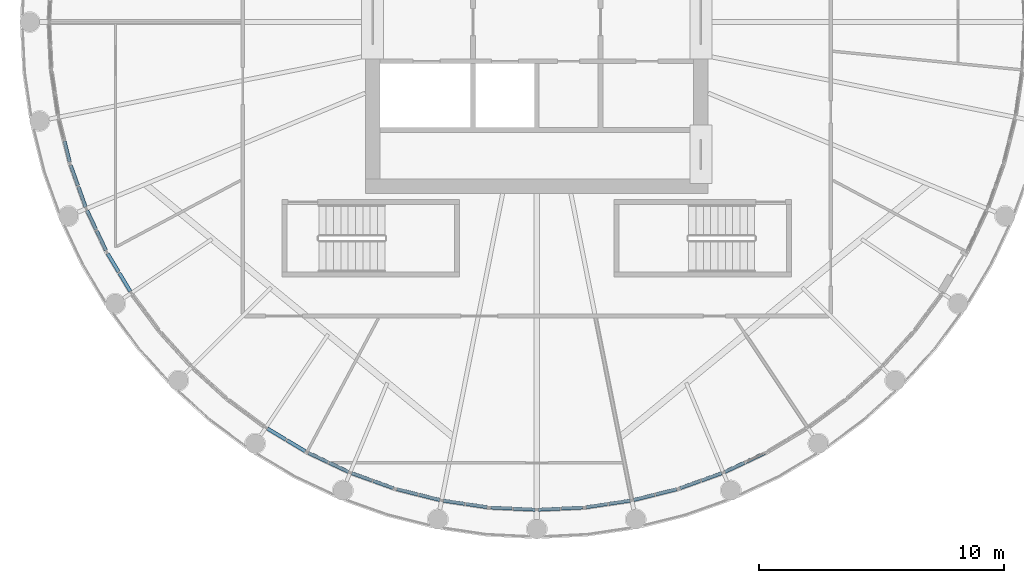
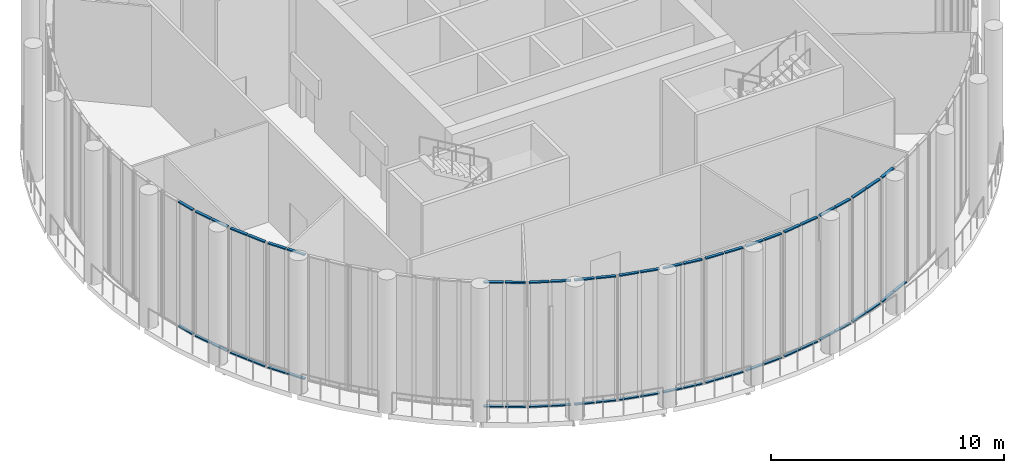
# One storey, part 9 of 21: 57 members, 15 elements without a shape of their own.
"""IFC4 building model written with IfcOpenShell, lengths in metres."""

from ifc_helpers import new_model, si_unit, direction, frame, origin, origin_2d, place, context, subcontext, project, spatial, rectangle, extrude, material, material_profile, profile_set, type_object, element, aggregate, save


model = new_model("IFC4")

# Units and contexts
model_context = context("Model", 3, precision=1e-05, world=origin(), true_north=direction((0.0, 1.0)))
body_context = subcontext(model_context, "Body", "Model", "MODEL_VIEW")
ifc_project = project(units=[si_unit("LENGTHUNIT", "METRE"), si_unit("AREAUNIT", "SQUARE_METRE"), si_unit("VOLUMEUNIT", "CUBIC_METRE"), si_unit("PLANEANGLEUNIT", "RADIAN"), si_unit("MASSUNIT", "GRAM", prefix="KILO")], contexts=[model_context])

# Site, building, storey
site_placement = place(None, origin())
site = spatial("IfcSite", under=ifc_project, at=site_placement, CompositionType="ELEMENT")
building_placement = place(site_placement, origin())
building = spatial("IfcBuilding", under=site, at=building_placement, Name="Corvane Civic Tower", CompositionType="ELEMENT")
storey_placement = place(building_placement, frame((0.0, 0.0, 380.5)))
storey = spatial("IfcBuildingStorey", under=building, at=storey_placement, Name="L91", CompositionType="ELEMENT", Elevation=380.5)

# Curtain wall, members
ifc_material_1 = material(Name="Aluminium and glass", Category="aluminium")
curtain_wall_type = type_object("IfcCurtainWallType", Name="CROWN-CW-O-RUN", PredefinedType="NOTDEFINED", material=ifc_material_1)
curtain_wall_1_placement = place(storey_placement, origin())
curtain_wall_1 = element("IfcCurtainWall", 1, at=curtain_wall_1_placement, inside=storey, type_object=curtain_wall_type, Name="CW-O run L91 19", PredefinedType="NOTDEFINED")
ifc_material_2 = material(Name="Anodised aluminium bronze", Category="aluminium")
ifc_material_profile = material_profile(ifc_material_2, rectangle(XDim=0.139892578125, YDim=0.06005859375, at=origin_2d()), Name="AL 140x60")
ifc_profile_set = profile_set([ifc_material_profile], Name="Anodised aluminium bronze")
member_type = type_object("IfcMemberType", Name="CROWN-CWO-TRANSOM-60x140", PredefinedType="USERDEFINED", material=ifc_profile_set)
member_1_placement = place(storey_placement, frame((-19.28271484375, -4.861083984375, 0.030029296875), z_axis=(0.242931177727, -0.970043526285, 0.0), x_axis=(0.970043526285, 0.242931177727, 0.0)))
member_1 = element("IfcMember", 2, at=member_1_placement, type_object=member_type, Name="CW-O transom 2.1", ObjectType="TRANSOM", PredefinedType="USERDEFINED", context=body_context, shape_type="SweptSolid", body=[
    extrude(rectangle(XDim=0.139892578125, YDim=0.06005859375, at=origin_2d()), origin(), (0.0, 0.0, 1.0), 0.871337890625),
])
member_2_placement = place(storey_placement, frame((-19.28271484375, -4.861083984375, 6.52001953125), z_axis=(0.242931177727, -0.970043526285, 0.0), x_axis=(0.970043526285, 0.242931177727, 0.0)))
member_2 = element("IfcMember", 3, at=member_2_placement, type_object=member_type, Name="CW-O transom 2.2", ObjectType="TRANSOM", PredefinedType="USERDEFINED", context=body_context, shape_type="SweptSolid", body=[
    extrude(rectangle(XDim=0.139892578125, YDim=0.06005859375, at=origin_2d()), origin(), (0.0, 0.0, 1.0), 0.871337890625),
])
aggregate(curtain_wall_1, [member_1, member_2])

curtain_wall_2_placement = place(storey_placement, origin())
curtain_wall_2 = element("IfcCurtainWall", 4, at=curtain_wall_2_placement, inside=storey, type_object=curtain_wall_type, Name="CW-O run L91 20", PredefinedType="NOTDEFINED")
member_3_placement = place(storey_placement, frame((-19.027099609375, -5.8505859375, 0.030029296875), z_axis=(0.336744552913, -0.94159604188, 0.0), x_axis=(0.94159604188, 0.336744552913, 0.0)))
member_3 = element("IfcMember", 5, at=member_3_placement, type_object=member_type, Name="CW-O transom 1.1", ObjectType="TRANSOM", PredefinedType="USERDEFINED", context=body_context, shape_type="SweptSolid", body=[
    extrude(rectangle(XDim=0.139892578125, YDim=0.06005859375, at=origin_2d()), origin(), (0.0, 0.0, 1.0), 0.871337890625),
])
member_4_placement = place(storey_placement, frame((-19.027099609375, -5.8505859375, 6.52001953125), z_axis=(0.336744552913, -0.94159604188, 0.0), x_axis=(0.94159604188, 0.336744552913, 0.0)))
member_4 = element("IfcMember", 6, at=member_4_placement, type_object=member_type, Name="CW-O transom 1.2", ObjectType="TRANSOM", PredefinedType="USERDEFINED", context=body_context, shape_type="SweptSolid", body=[
    extrude(rectangle(XDim=0.139892578125, YDim=0.06005859375, at=origin_2d()), origin(), (0.0, 0.0, 1.0), 0.871337890625),
])
member_5_placement = place(storey_placement, frame((-18.71337890625, -6.7275390625, 0.030029296875), z_axis=(0.337081803775, -0.941475362165, 0.0), x_axis=(0.941475362165, 0.337081803775, 0.0)))
member_5 = element("IfcMember", 7, at=member_5_placement, type_object=member_type, Name="CW-O transom 2.1", ObjectType="TRANSOM", PredefinedType="USERDEFINED", context=body_context, shape_type="SweptSolid", body=[
    extrude(rectangle(XDim=0.139892578125, YDim=0.06005859375, at=origin_2d()), origin(), (0.0, 0.0, 1.0), 0.871337890625),
])
member_6_placement = place(storey_placement, frame((-18.71337890625, -6.7275390625, 6.52001953125), z_axis=(0.337081803775, -0.941475362165, 0.0), x_axis=(0.941475362165, 0.337081803775, 0.0)))
member_6 = element("IfcMember", 8, at=member_6_placement, type_object=member_type, Name="CW-O transom 2.2", ObjectType="TRANSOM", PredefinedType="USERDEFINED", context=body_context, shape_type="SweptSolid", body=[
    extrude(rectangle(XDim=0.139892578125, YDim=0.06005859375, at=origin_2d()), origin(), (0.0, 0.0, 1.0), 0.871337890625),
])
aggregate(curtain_wall_2, [member_3, member_4, member_5, member_6])

curtain_wall_3_placement = place(storey_placement, origin())
curtain_wall_3 = element("IfcCurtainWall", 9, at=curtain_wall_3_placement, inside=storey, type_object=curtain_wall_type, Name="CW-O run L91 21", PredefinedType="NOTDEFINED")
member_7_placement = place(storey_placement, frame((-18.362060546875, -7.6875, 0.030029296875), z_axis=(0.427604470333, -0.903965937938, 0.0), x_axis=(0.903965937938, 0.427604470333, 0.0)))
member_7 = element("IfcMember", 10, at=member_7_placement, type_object=member_type, Name="CW-O transom 1.1", ObjectType="TRANSOM", PredefinedType="USERDEFINED", context=body_context, shape_type="SweptSolid", body=[
    extrude(rectangle(XDim=0.139892578125, YDim=0.06005859375, at=origin_2d()), origin(), (0.0, 0.0, 1.0), 0.871337890625),
])
member_8_placement = place(storey_placement, frame((-18.362060546875, -7.6875, 6.52001953125), z_axis=(0.427604470333, -0.903965937938, 0.0), x_axis=(0.903965937938, 0.427604470333, 0.0)))
member_8 = element("IfcMember", 11, at=member_8_placement, type_object=member_type, Name="CW-O transom 1.2", ObjectType="TRANSOM", PredefinedType="USERDEFINED", context=body_context, shape_type="SweptSolid", body=[
    extrude(rectangle(XDim=0.139892578125, YDim=0.06005859375, at=origin_2d()), origin(), (0.0, 0.0, 1.0), 0.871337890625),
])
member_9_placement = place(storey_placement, frame((-17.9638671875, -8.529541015625, 0.030029296875), z_axis=(0.427604470333, -0.903965937938, 0.0), x_axis=(0.903965937938, 0.427604470333, 0.0)))
member_9 = element("IfcMember", 12, at=member_9_placement, type_object=member_type, Name="CW-O transom 2.1", ObjectType="TRANSOM", PredefinedType="USERDEFINED", context=body_context, shape_type="SweptSolid", body=[
    extrude(rectangle(XDim=0.139892578125, YDim=0.06005859375, at=origin_2d()), origin(), (0.0, 0.0, 1.0), 0.871337890625),
])
member_10_placement = place(storey_placement, frame((-17.9638671875, -8.529541015625, 6.52001953125), z_axis=(0.427604470333, -0.903965937938, 0.0), x_axis=(0.903965937938, 0.427604470333, 0.0)))
member_10 = element("IfcMember", 13, at=member_10_placement, type_object=member_type, Name="CW-O transom 2.2", ObjectType="TRANSOM", PredefinedType="USERDEFINED", context=body_context, shape_type="SweptSolid", body=[
    extrude(rectangle(XDim=0.139892578125, YDim=0.06005859375, at=origin_2d()), origin(), (0.0, 0.0, 1.0), 0.871337890625),
])
aggregate(curtain_wall_3, [member_7, member_8, member_9, member_10])

curtain_wall_4_placement = place(storey_placement, origin())
curtain_wall_4 = element("IfcCurtainWall", 14, at=curtain_wall_4_placement, inside=storey, type_object=curtain_wall_type, Name="CW-O run L91 22", PredefinedType="NOTDEFINED")
member_11_placement = place(storey_placement, frame((-17.520263671875, -9.450439453125, 0.030029296875), z_axis=(0.514166070946, -0.857690650227, 0.0), x_axis=(0.857690650227, 0.514166070946, 0.0)))
member_11 = element("IfcMember", 15, at=member_11_placement, type_object=member_type, Name="CW-O transom 1.1", ObjectType="TRANSOM", PredefinedType="USERDEFINED", context=body_context, shape_type="SweptSolid", body=[
    extrude(rectangle(XDim=0.139892578125, YDim=0.06005859375, at=origin_2d()), origin(), (0.0, 0.0, 1.0), 0.871337890625),
])
member_12_placement = place(storey_placement, frame((-17.520263671875, -9.450439453125, 6.52001953125), z_axis=(0.514166070946, -0.857690650227, 0.0), x_axis=(0.857690650227, 0.514166070946, 0.0)))
member_12 = element("IfcMember", 16, at=member_12_placement, type_object=member_type, Name="CW-O transom 1.2", ObjectType="TRANSOM", PredefinedType="USERDEFINED", context=body_context, shape_type="SweptSolid", body=[
    extrude(rectangle(XDim=0.139892578125, YDim=0.06005859375, at=origin_2d()), origin(), (0.0, 0.0, 1.0), 0.871337890625),
])
member_13_placement = place(storey_placement, frame((-17.041259765625, -10.2490234375, 0.030029296875), z_axis=(0.514166070946, -0.857690650227, 0.0), x_axis=(0.857690650227, 0.514166070946, 0.0)))
member_13 = element("IfcMember", 17, at=member_13_placement, type_object=member_type, Name="CW-O transom 2.1", ObjectType="TRANSOM", PredefinedType="USERDEFINED", context=body_context, shape_type="SweptSolid", body=[
    extrude(rectangle(XDim=0.139892578125, YDim=0.06005859375, at=origin_2d()), origin(), (0.0, 0.0, 1.0), 0.871337890625),
])
member_14_placement = place(storey_placement, frame((-17.041259765625, -10.2490234375, 6.52001953125), z_axis=(0.514166070946, -0.857690650227, 0.0), x_axis=(0.857690650227, 0.514166070946, 0.0)))
member_14 = element("IfcMember", 18, at=member_14_placement, type_object=member_type, Name="CW-O transom 2.2", ObjectType="TRANSOM", PredefinedType="USERDEFINED", context=body_context, shape_type="SweptSolid", body=[
    extrude(rectangle(XDim=0.139892578125, YDim=0.06005859375, at=origin_2d()), origin(), (0.0, 0.0, 1.0), 0.871337890625),
])
aggregate(curtain_wall_4, [member_11, member_12, member_13, member_14])

curtain_wall_5_placement = place(storey_placement, origin())
curtain_wall_5 = element("IfcCurtainWall", 19, at=curtain_wall_5_placement, inside=storey, type_object=curtain_wall_type, Name="CW-O run L91 27", PredefinedType="NOTDEFINED")
member_15_placement = place(storey_placement, frame((-10.996337890625, -16.59326171875, 0.030029296875), z_axis=(0.857690650227, -0.514166070946, 0.0), x_axis=(0.514166070946, 0.857690650227, 0.0)))
member_15 = element("IfcMember", 20, at=member_15_placement, type_object=member_type, Name="CW-O transom 1.1", ObjectType="TRANSOM", PredefinedType="USERDEFINED", context=body_context, shape_type="SweptSolid", body=[
    extrude(rectangle(XDim=0.139892578125, YDim=0.06005859375, at=origin_2d()), origin(), (0.0, 0.0, 1.0), 0.871337890625),
])
member_16_placement = place(storey_placement, frame((-10.996337890625, -16.59326171875, 6.52001953125), z_axis=(0.857690650227, -0.514166070946, 0.0), x_axis=(0.514166070946, 0.857690650227, 0.0)))
member_16 = element("IfcMember", 21, at=member_16_placement, type_object=member_type, Name="CW-O transom 1.2", ObjectType="TRANSOM", PredefinedType="USERDEFINED", context=body_context, shape_type="SweptSolid", body=[
    extrude(rectangle(XDim=0.139892578125, YDim=0.06005859375, at=origin_2d()), origin(), (0.0, 0.0, 1.0), 0.871337890625),
])
member_17_placement = place(storey_placement, frame((-10.19775390625, -17.072265625, 0.030029296875), z_axis=(0.857690650227, -0.514166070946, 0.0), x_axis=(0.514166070946, 0.857690650227, 0.0)))
member_17 = element("IfcMember", 22, at=member_17_placement, type_object=member_type, Name="CW-O transom 2.1", ObjectType="TRANSOM", PredefinedType="USERDEFINED", context=body_context, shape_type="SweptSolid", body=[
    extrude(rectangle(XDim=0.139892578125, YDim=0.06005859375, at=origin_2d()), origin(), (0.0, 0.0, 1.0), 0.871337890625),
])
member_18_placement = place(storey_placement, frame((-10.19775390625, -17.072265625, 6.52001953125), z_axis=(0.857690650227, -0.514166070946, 0.0), x_axis=(0.514166070946, 0.857690650227, 0.0)))
member_18 = element("IfcMember", 23, at=member_18_placement, type_object=member_type, Name="CW-O transom 2.2", ObjectType="TRANSOM", PredefinedType="USERDEFINED", context=body_context, shape_type="SweptSolid", body=[
    extrude(rectangle(XDim=0.139892578125, YDim=0.06005859375, at=origin_2d()), origin(), (0.0, 0.0, 1.0), 0.871337890625),
])
aggregate(curtain_wall_5, [member_15, member_16, member_17, member_18])

curtain_wall_6_placement = place(storey_placement, origin())
curtain_wall_6 = element("IfcCurtainWall", 24, at=curtain_wall_6_placement, inside=storey, type_object=curtain_wall_type, Name="CW-O run L91 28", PredefinedType="NOTDEFINED")
member_19_placement = place(storey_placement, frame((-9.317138671875, -17.59130859375, 0.030029296875), z_axis=(0.903965937938, -0.427604470333, 0.0), x_axis=(0.427604470333, 0.903965937938, 0.0)))
member_19 = element("IfcMember", 25, at=member_19_placement, type_object=member_type, Name="CW-O transom 1.1", ObjectType="TRANSOM", PredefinedType="USERDEFINED", context=body_context, shape_type="SweptSolid", body=[
    extrude(rectangle(XDim=0.139892578125, YDim=0.06005859375, at=origin_2d()), origin(), (0.0, 0.0, 1.0), 0.871337890625),
])
member_20_placement = place(storey_placement, frame((-9.317138671875, -17.59130859375, 6.52001953125), z_axis=(0.903965937938, -0.427604470333, 0.0), x_axis=(0.427604470333, 0.903965937938, 0.0)))
member_20 = element("IfcMember", 26, at=member_20_placement, type_object=member_type, Name="CW-O transom 1.2", ObjectType="TRANSOM", PredefinedType="USERDEFINED", context=body_context, shape_type="SweptSolid", body=[
    extrude(rectangle(XDim=0.139892578125, YDim=0.06005859375, at=origin_2d()), origin(), (0.0, 0.0, 1.0), 0.871337890625),
])
member_21_placement = place(storey_placement, frame((-8.47509765625, -17.989501953125, 0.030029296875), z_axis=(0.903965937938, -0.427604470333, 0.0), x_axis=(0.427604470333, 0.903965937938, 0.0)))
member_21 = element("IfcMember", 27, at=member_21_placement, type_object=member_type, Name="CW-O transom 2.1", ObjectType="TRANSOM", PredefinedType="USERDEFINED", context=body_context, shape_type="SweptSolid", body=[
    extrude(rectangle(XDim=0.139892578125, YDim=0.06005859375, at=origin_2d()), origin(), (0.0, 0.0, 1.0), 0.871337890625),
])
member_22_placement = place(storey_placement, frame((-8.47509765625, -17.989501953125, 6.52001953125), z_axis=(0.903965937938, -0.427604470333, 0.0), x_axis=(0.427604470333, 0.903965937938, 0.0)))
member_22 = element("IfcMember", 28, at=member_22_placement, type_object=member_type, Name="CW-O transom 2.2", ObjectType="TRANSOM", PredefinedType="USERDEFINED", context=body_context, shape_type="SweptSolid", body=[
    extrude(rectangle(XDim=0.139892578125, YDim=0.06005859375, at=origin_2d()), origin(), (0.0, 0.0, 1.0), 0.871337890625),
])
aggregate(curtain_wall_6, [member_19, member_20, member_21, member_22])

curtain_wall_7_placement = place(storey_placement, origin())
curtain_wall_7 = element("IfcCurtainWall", 29, at=curtain_wall_7_placement, inside=storey, type_object=curtain_wall_type, Name="CW-O run L91 29", PredefinedType="NOTDEFINED")
member_23_placement = place(storey_placement, frame((-7.5478515625, -18.419677734375, 0.030029296875), z_axis=(0.941475362165, -0.337081803775, 0.0), x_axis=(0.337081803775, 0.941475362165, 0.0)))
member_23 = element("IfcMember", 30, at=member_23_placement, type_object=member_type, Name="CW-O transom 1.1", ObjectType="TRANSOM", PredefinedType="USERDEFINED", context=body_context, shape_type="SweptSolid", body=[
    extrude(rectangle(XDim=0.139892578125, YDim=0.06005859375, at=origin_2d()), origin(), (0.0, 0.0, 1.0), 0.871337890625),
])
member_24_placement = place(storey_placement, frame((-7.5478515625, -18.419677734375, 6.52001953125), z_axis=(0.941475362165, -0.337081803775, 0.0), x_axis=(0.337081803775, 0.941475362165, 0.0)))
member_24 = element("IfcMember", 31, at=member_24_placement, type_object=member_type, Name="CW-O transom 1.2", ObjectType="TRANSOM", PredefinedType="USERDEFINED", context=body_context, shape_type="SweptSolid", body=[
    extrude(rectangle(XDim=0.139892578125, YDim=0.06005859375, at=origin_2d()), origin(), (0.0, 0.0, 1.0), 0.871337890625),
])
member_25_placement = place(storey_placement, frame((-6.671142578125, -18.733642578125, 0.030029296875), z_axis=(0.94159604188, -0.336744552913, 0.0), x_axis=(0.336744552913, 0.94159604188, 0.0)))
member_25 = element("IfcMember", 32, at=member_25_placement, type_object=member_type, Name="CW-O transom 2.1", ObjectType="TRANSOM", PredefinedType="USERDEFINED", context=body_context, shape_type="SweptSolid", body=[
    extrude(rectangle(XDim=0.139892578125, YDim=0.06005859375, at=origin_2d()), origin(), (0.0, 0.0, 1.0), 0.871337890625),
])
member_26_placement = place(storey_placement, frame((-6.671142578125, -18.733642578125, 6.52001953125), z_axis=(0.94159604188, -0.336744552913, 0.0), x_axis=(0.336744552913, 0.94159604188, 0.0)))
member_26 = element("IfcMember", 33, at=member_26_placement, type_object=member_type, Name="CW-O transom 2.2", ObjectType="TRANSOM", PredefinedType="USERDEFINED", context=body_context, shape_type="SweptSolid", body=[
    extrude(rectangle(XDim=0.139892578125, YDim=0.06005859375, at=origin_2d()), origin(), (0.0, 0.0, 1.0), 0.871337890625),
])
aggregate(curtain_wall_7, [member_23, member_24, member_25, member_26])

curtain_wall_8_placement = place(storey_placement, origin())
curtain_wall_8 = element("IfcCurtainWall", 34, at=curtain_wall_8_placement, inside=storey, type_object=curtain_wall_type, Name="CW-O run L91 30", PredefinedType="NOTDEFINED")
member_27_placement = place(storey_placement, frame((-5.706298828125, -19.071044921875, 0.030029296875), z_axis=(0.970043526285, -0.242931177727, 0.0), x_axis=(0.242931177727, 0.970043526285, 0.0)))
member_27 = element("IfcMember", 35, at=member_27_placement, type_object=member_type, Name="CW-O transom 1.1", ObjectType="TRANSOM", PredefinedType="USERDEFINED", context=body_context, shape_type="SweptSolid", body=[
    extrude(rectangle(XDim=0.139892578125, YDim=0.06005859375, at=origin_2d()), origin(), (0.0, 0.0, 1.0), 0.871337890625),
])
member_28_placement = place(storey_placement, frame((-5.706298828125, -19.071044921875, 6.52001953125), z_axis=(0.970043526285, -0.242931177727, 0.0), x_axis=(0.242931177727, 0.970043526285, 0.0)))
member_28 = element("IfcMember", 36, at=member_28_placement, type_object=member_type, Name="CW-O transom 1.2", ObjectType="TRANSOM", PredefinedType="USERDEFINED", context=body_context, shape_type="SweptSolid", body=[
    extrude(rectangle(XDim=0.139892578125, YDim=0.06005859375, at=origin_2d()), origin(), (0.0, 0.0, 1.0), 0.871337890625),
])
member_29_placement = place(storey_placement, frame((-4.802734375, -19.29736328125, 0.030029296875), z_axis=(0.970043526285, -0.242931177727, 0.0), x_axis=(0.242931177727, 0.970043526285, 0.0)))
member_29 = element("IfcMember", 37, at=member_29_placement, type_object=member_type, Name="CW-O transom 2.1", ObjectType="TRANSOM", PredefinedType="USERDEFINED", context=body_context, shape_type="SweptSolid", body=[
    extrude(rectangle(XDim=0.139892578125, YDim=0.06005859375, at=origin_2d()), origin(), (0.0, 0.0, 1.0), 0.871337890625),
])
member_30_placement = place(storey_placement, frame((-4.802734375, -19.29736328125, 6.52001953125), z_axis=(0.970043526285, -0.242931177727, 0.0), x_axis=(0.242931177727, 0.970043526285, 0.0)))
member_30 = element("IfcMember", 38, at=member_30_placement, type_object=member_type, Name="CW-O transom 2.2", ObjectType="TRANSOM", PredefinedType="USERDEFINED", context=body_context, shape_type="SweptSolid", body=[
    extrude(rectangle(XDim=0.139892578125, YDim=0.06005859375, at=origin_2d()), origin(), (0.0, 0.0, 1.0), 0.871337890625),
])
aggregate(curtain_wall_8, [member_27, member_28, member_29, member_30])

curtain_wall_9_placement = place(storey_placement, origin())
curtain_wall_9 = element("IfcCurtainWall", 39, at=curtain_wall_9_placement, inside=storey, type_object=curtain_wall_type, Name="CW-O run L91 31", PredefinedType="NOTDEFINED")
member_31_placement = place(storey_placement, frame((-3.8095703125, -19.538330078125, 0.030029296875), z_axis=(0.989167334022, -0.146792320314, 0.0), x_axis=(0.146792320314, 0.989167334022, 0.0)))
member_31 = element("IfcMember", 40, at=member_31_placement, type_object=member_type, Name="CW-O transom 1.1", ObjectType="TRANSOM", PredefinedType="USERDEFINED", context=body_context, shape_type="SweptSolid", body=[
    extrude(rectangle(XDim=0.139892578125, YDim=0.06005859375, at=origin_2d()), origin(), (0.0, 0.0, 1.0), 0.87158203125),
])
member_32_placement = place(storey_placement, frame((-3.8095703125, -19.538330078125, 6.52001953125), z_axis=(0.989167334022, -0.146792320314, 0.0), x_axis=(0.146792320314, 0.989167334022, 0.0)))
member_32 = element("IfcMember", 41, at=member_32_placement, type_object=member_type, Name="CW-O transom 1.2", ObjectType="TRANSOM", PredefinedType="USERDEFINED", context=body_context, shape_type="SweptSolid", body=[
    extrude(rectangle(XDim=0.139892578125, YDim=0.06005859375, at=origin_2d()), origin(), (0.0, 0.0, 1.0), 0.87158203125),
])
member_33_placement = place(storey_placement, frame((-2.88818359375, -19.675048828125, 0.030029296875), z_axis=(0.989161295103, -0.146833008112, 0.0), x_axis=(0.146833008112, 0.989161295103, 0.0)))
member_33 = element("IfcMember", 42, at=member_33_placement, type_object=member_type, Name="CW-O transom 2.1", ObjectType="TRANSOM", PredefinedType="USERDEFINED", context=body_context, shape_type="SweptSolid", body=[
    extrude(rectangle(XDim=0.139892578125, YDim=0.06005859375, at=origin_2d()), origin(), (0.0, 0.0, 1.0), 0.871337890625),
])
member_34_placement = place(storey_placement, frame((-2.88818359375, -19.675048828125, 6.52001953125), z_axis=(0.989161295103, -0.146833008112, 0.0), x_axis=(0.146833008112, 0.989161295103, 0.0)))
member_34 = element("IfcMember", 43, at=member_34_placement, type_object=member_type, Name="CW-O transom 2.2", ObjectType="TRANSOM", PredefinedType="USERDEFINED", context=body_context, shape_type="SweptSolid", body=[
    extrude(rectangle(XDim=0.139892578125, YDim=0.06005859375, at=origin_2d()), origin(), (0.0, 0.0, 1.0), 0.871337890625),
])
aggregate(curtain_wall_9, [member_31, member_32, member_33, member_34])

curtain_wall_10_placement = place(storey_placement, origin())
curtain_wall_10 = element("IfcCurtainWall", 44, at=curtain_wall_10_placement, inside=storey, type_object=curtain_wall_type, Name="CW-O run L91 32", PredefinedType="NOTDEFINED")
member_35_placement = place(storey_placement, frame((-1.876220703125, -19.81787109375, 0.030029296875), z_axis=(0.998797339575, -0.04902932242, 0.0), x_axis=(0.04902932242, 0.998797339575, 0.0)))
member_35 = element("IfcMember", 45, at=member_35_placement, type_object=member_type, Name="CW-O transom 1.1", ObjectType="TRANSOM", PredefinedType="USERDEFINED", context=body_context, shape_type="SweptSolid", body=[
    extrude(rectangle(XDim=0.139892578125, YDim=0.06005859375, at=origin_2d()), origin(), (0.0, 0.0, 1.0), 0.871337890625),
])
member_36_placement = place(storey_placement, frame((-1.876220703125, -19.81787109375, 6.52001953125), z_axis=(0.998797339575, -0.04902932242, 0.0), x_axis=(0.04902932242, 0.998797339575, 0.0)))
member_36 = element("IfcMember", 46, at=member_36_placement, type_object=member_type, Name="CW-O transom 1.2", ObjectType="TRANSOM", PredefinedType="USERDEFINED", context=body_context, shape_type="SweptSolid", body=[
    extrude(rectangle(XDim=0.139892578125, YDim=0.06005859375, at=origin_2d()), origin(), (0.0, 0.0, 1.0), 0.871337890625),
])
member_37_placement = place(storey_placement, frame((-0.94580078125, -19.863525390625, 0.030029296875), z_axis=(0.998797339575, -0.04902932242, 0.0), x_axis=(0.04902932242, 0.998797339575, 0.0)))
member_37 = element("IfcMember", 47, at=member_37_placement, type_object=member_type, Name="CW-O transom 2.1", ObjectType="TRANSOM", PredefinedType="USERDEFINED", context=body_context, shape_type="SweptSolid", body=[
    extrude(rectangle(XDim=0.139892578125, YDim=0.06005859375, at=origin_2d()), origin(), (0.0, 0.0, 1.0), 0.871337890625),
])
member_38_placement = place(storey_placement, frame((-0.94580078125, -19.863525390625, 6.52001953125), z_axis=(0.998797339575, -0.04902932242, 0.0), x_axis=(0.04902932242, 0.998797339575, 0.0)))
member_38 = element("IfcMember", 48, at=member_38_placement, type_object=member_type, Name="CW-O transom 2.2", ObjectType="TRANSOM", PredefinedType="USERDEFINED", context=body_context, shape_type="SweptSolid", body=[
    extrude(rectangle(XDim=0.139892578125, YDim=0.06005859375, at=origin_2d()), origin(), (0.0, 0.0, 1.0), 0.871337890625),
])
aggregate(curtain_wall_10, [member_35, member_36, member_37, member_38])

curtain_wall_11_placement = place(storey_placement, origin())
curtain_wall_11 = element("IfcCurtainWall", 49, at=curtain_wall_11_placement, inside=storey, type_object=curtain_wall_type, Name="CW-O run L91 33", PredefinedType="NOTDEFINED")
member_39_placement = place(storey_placement, frame((0.075439453125, -19.90625, 0.030029296875), z_axis=(0.998797339575, 0.04902932242, 0.0), x_axis=(-0.04902932242, 0.998797339575, 0.0)))
member_39 = element("IfcMember", 50, at=member_39_placement, type_object=member_type, Name="CW-O transom 1.1", ObjectType="TRANSOM", PredefinedType="USERDEFINED", context=body_context, shape_type="SweptSolid", body=[
    extrude(rectangle(XDim=0.139892578125, YDim=0.06005859375, at=origin_2d()), origin(), (0.0, 0.0, 1.0), 0.871337890625),
])
member_40_placement = place(storey_placement, frame((0.075439453125, -19.90625, 6.52001953125), z_axis=(0.998797339575, 0.04902932242, 0.0), x_axis=(-0.04902932242, 0.998797339575, 0.0)))
member_40 = element("IfcMember", 51, at=member_40_placement, type_object=member_type, Name="CW-O transom 1.2", ObjectType="TRANSOM", PredefinedType="USERDEFINED", context=body_context, shape_type="SweptSolid", body=[
    extrude(rectangle(XDim=0.139892578125, YDim=0.06005859375, at=origin_2d()), origin(), (0.0, 0.0, 1.0), 0.871337890625),
])
member_41_placement = place(storey_placement, frame((1.005859375, -19.860595703125, 0.030029296875), z_axis=(0.998797339575, 0.04902932242, 0.0), x_axis=(-0.04902932242, 0.998797339575, 0.0)))
member_41 = element("IfcMember", 52, at=member_41_placement, type_object=member_type, Name="CW-O transom 2.1", ObjectType="TRANSOM", PredefinedType="USERDEFINED", context=body_context, shape_type="SweptSolid", body=[
    extrude(rectangle(XDim=0.139892578125, YDim=0.06005859375, at=origin_2d()), origin(), (0.0, 0.0, 1.0), 0.871337890625),
])
member_42_placement = place(storey_placement, frame((1.005859375, -19.860595703125, 6.52001953125), z_axis=(0.998797339575, 0.04902932242, 0.0), x_axis=(-0.04902932242, 0.998797339575, 0.0)))
member_42 = element("IfcMember", 53, at=member_42_placement, type_object=member_type, Name="CW-O transom 2.2", ObjectType="TRANSOM", PredefinedType="USERDEFINED", context=body_context, shape_type="SweptSolid", body=[
    extrude(rectangle(XDim=0.139892578125, YDim=0.06005859375, at=origin_2d()), origin(), (0.0, 0.0, 1.0), 0.871337890625),
])
aggregate(curtain_wall_11, [member_39, member_40, member_41, member_42])

curtain_wall_12_placement = place(storey_placement, origin())
curtain_wall_12 = element("IfcCurtainWall", 54, at=curtain_wall_12_placement, inside=storey, type_object=curtain_wall_type, Name="CW-O run L91 34", PredefinedType="NOTDEFINED")
member_43_placement = place(storey_placement, frame((2.0263671875, -19.802978515625, 0.030029296875), z_axis=(0.989161295103, 0.146833008112, 0.0), x_axis=(-0.146833008112, 0.989161295103, 0.0)))
member_43 = element("IfcMember", 55, at=member_43_placement, type_object=member_type, Name="CW-O transom 1.1", ObjectType="TRANSOM", PredefinedType="USERDEFINED", context=body_context, shape_type="SweptSolid", body=[
    extrude(rectangle(XDim=0.139892578125, YDim=0.06005859375, at=origin_2d()), origin(), (0.0, 0.0, 1.0), 0.871337890625),
])
member_44_placement = place(storey_placement, frame((2.0263671875, -19.802978515625, 6.52001953125), z_axis=(0.989161295103, 0.146833008112, 0.0), x_axis=(-0.146833008112, 0.989161295103, 0.0)))
member_44 = element("IfcMember", 56, at=member_44_placement, type_object=member_type, Name="CW-O transom 1.2", ObjectType="TRANSOM", PredefinedType="USERDEFINED", context=body_context, shape_type="SweptSolid", body=[
    extrude(rectangle(XDim=0.139892578125, YDim=0.06005859375, at=origin_2d()), origin(), (0.0, 0.0, 1.0), 0.871337890625),
])
member_45_placement = place(storey_placement, frame((2.947509765625, -19.666259765625, 0.030029296875), z_axis=(0.989167334022, 0.146792320314, 0.0), x_axis=(-0.146792320314, 0.989167334022, 0.0)))
member_45 = element("IfcMember", 57, at=member_45_placement, type_object=member_type, Name="CW-O transom 2.1", ObjectType="TRANSOM", PredefinedType="USERDEFINED", context=body_context, shape_type="SweptSolid", body=[
    extrude(rectangle(XDim=0.139892578125, YDim=0.06005859375, at=origin_2d()), origin(), (0.0, 0.0, 1.0), 0.87158203125),
])
member_46_placement = place(storey_placement, frame((2.947509765625, -19.666259765625, 6.52001953125), z_axis=(0.989167334022, 0.146792320314, 0.0), x_axis=(-0.146792320314, 0.989167334022, 0.0)))
member_46 = element("IfcMember", 58, at=member_46_placement, type_object=member_type, Name="CW-O transom 2.2", ObjectType="TRANSOM", PredefinedType="USERDEFINED", context=body_context, shape_type="SweptSolid", body=[
    extrude(rectangle(XDim=0.139892578125, YDim=0.06005859375, at=origin_2d()), origin(), (0.0, 0.0, 1.0), 0.87158203125),
])
aggregate(curtain_wall_12, [member_43, member_44, member_45, member_46])

curtain_wall_13_placement = place(storey_placement, origin())
curtain_wall_13 = element("IfcCurtainWall", 59, at=curtain_wall_13_placement, inside=storey, type_object=curtain_wall_type, Name="CW-O run L91 35", PredefinedType="NOTDEFINED")
member_47_placement = place(storey_placement, frame((3.95751953125, -19.509033203125, 0.030029296875), z_axis=(0.970043526285, 0.242931177727, 0.0), x_axis=(-0.242931177727, 0.970043526285, 0.0)))
member_47 = element("IfcMember", 60, at=member_47_placement, type_object=member_type, Name="CW-O transom 1.1", ObjectType="TRANSOM", PredefinedType="USERDEFINED", context=body_context, shape_type="SweptSolid", body=[
    extrude(rectangle(XDim=0.139892578125, YDim=0.06005859375, at=origin_2d()), origin(), (0.0, 0.0, 1.0), 0.871337890625),
])
member_48_placement = place(storey_placement, frame((3.95751953125, -19.509033203125, 6.52001953125), z_axis=(0.970043526285, 0.242931177727, 0.0), x_axis=(-0.242931177727, 0.970043526285, 0.0)))
member_48 = element("IfcMember", 61, at=member_48_placement, type_object=member_type, Name="CW-O transom 1.2", ObjectType="TRANSOM", PredefinedType="USERDEFINED", context=body_context, shape_type="SweptSolid", body=[
    extrude(rectangle(XDim=0.139892578125, YDim=0.06005859375, at=origin_2d()), origin(), (0.0, 0.0, 1.0), 0.871337890625),
])
member_49_placement = place(storey_placement, frame((4.861083984375, -19.28271484375, 0.030029296875), z_axis=(0.970043526285, 0.242931177727, 0.0), x_axis=(-0.242931177727, 0.970043526285, 0.0)))
member_49 = element("IfcMember", 62, at=member_49_placement, type_object=member_type, Name="CW-O transom 2.1", ObjectType="TRANSOM", PredefinedType="USERDEFINED", context=body_context, shape_type="SweptSolid", body=[
    extrude(rectangle(XDim=0.139892578125, YDim=0.06005859375, at=origin_2d()), origin(), (0.0, 0.0, 1.0), 0.871337890625),
])
member_50_placement = place(storey_placement, frame((4.861083984375, -19.28271484375, 6.52001953125), z_axis=(0.970043526285, 0.242931177727, 0.0), x_axis=(-0.242931177727, 0.970043526285, 0.0)))
member_50 = element("IfcMember", 63, at=member_50_placement, type_object=member_type, Name="CW-O transom 2.2", ObjectType="TRANSOM", PredefinedType="USERDEFINED", context=body_context, shape_type="SweptSolid", body=[
    extrude(rectangle(XDim=0.139892578125, YDim=0.06005859375, at=origin_2d()), origin(), (0.0, 0.0, 1.0), 0.871337890625),
])
aggregate(curtain_wall_13, [member_47, member_48, member_49, member_50])

curtain_wall_14_placement = place(storey_placement, origin())
curtain_wall_14 = element("IfcCurtainWall", 64, at=curtain_wall_14_placement, inside=storey, type_object=curtain_wall_type, Name="CW-O run L91 36", PredefinedType="NOTDEFINED")
member_51_placement = place(storey_placement, frame((5.8505859375, -19.027099609375, 0.030029296875), z_axis=(0.94159604188, 0.336744552913, 0.0), x_axis=(-0.336744552913, 0.94159604188, 0.0)))
member_51 = element("IfcMember", 65, at=member_51_placement, type_object=member_type, Name="CW-O transom 1.1", ObjectType="TRANSOM", PredefinedType="USERDEFINED", context=body_context, shape_type="SweptSolid", body=[
    extrude(rectangle(XDim=0.139892578125, YDim=0.06005859375, at=origin_2d()), origin(), (0.0, 0.0, 1.0), 0.871337890625),
])
member_52_placement = place(storey_placement, frame((5.8505859375, -19.027099609375, 6.52001953125), z_axis=(0.94159604188, 0.336744552913, 0.0), x_axis=(-0.336744552913, 0.94159604188, 0.0)))
member_52 = element("IfcMember", 66, at=member_52_placement, type_object=member_type, Name="CW-O transom 1.2", ObjectType="TRANSOM", PredefinedType="USERDEFINED", context=body_context, shape_type="SweptSolid", body=[
    extrude(rectangle(XDim=0.139892578125, YDim=0.06005859375, at=origin_2d()), origin(), (0.0, 0.0, 1.0), 0.871337890625),
])
member_53_placement = place(storey_placement, frame((6.7275390625, -18.71337890625, 0.030029296875), z_axis=(0.941475362165, 0.337081803775, 0.0), x_axis=(-0.337081803775, 0.941475362165, 0.0)))
member_53 = element("IfcMember", 67, at=member_53_placement, type_object=member_type, Name="CW-O transom 2.1", ObjectType="TRANSOM", PredefinedType="USERDEFINED", context=body_context, shape_type="SweptSolid", body=[
    extrude(rectangle(XDim=0.139892578125, YDim=0.06005859375, at=origin_2d()), origin(), (0.0, 0.0, 1.0), 0.871337890625),
])
member_54_placement = place(storey_placement, frame((6.7275390625, -18.71337890625, 6.52001953125), z_axis=(0.941475362165, 0.337081803775, 0.0), x_axis=(-0.337081803775, 0.941475362165, 0.0)))
member_54 = element("IfcMember", 68, at=member_54_placement, type_object=member_type, Name="CW-O transom 2.2", ObjectType="TRANSOM", PredefinedType="USERDEFINED", context=body_context, shape_type="SweptSolid", body=[
    extrude(rectangle(XDim=0.139892578125, YDim=0.06005859375, at=origin_2d()), origin(), (0.0, 0.0, 1.0), 0.871337890625),
])
aggregate(curtain_wall_14, [member_51, member_52, member_53, member_54])

curtain_wall_15_placement = place(storey_placement, origin())
curtain_wall_15 = element("IfcCurtainWall", 69, at=curtain_wall_15_placement, inside=storey, type_object=curtain_wall_type, Name="CW-O run L91 37", PredefinedType="NOTDEFINED")
member_55_placement = place(storey_placement, frame((7.6875, -18.362060546875, 0.030029296875), z_axis=(0.903965937938, 0.427604470333, 0.0), x_axis=(-0.427604470333, 0.903965937938, 0.0)))
member_55 = element("IfcMember", 70, at=member_55_placement, type_object=member_type, Name="CW-O transom 1.1", ObjectType="TRANSOM", PredefinedType="USERDEFINED", context=body_context, shape_type="SweptSolid", body=[
    extrude(rectangle(XDim=0.139892578125, YDim=0.06005859375, at=origin_2d()), origin(), (0.0, 0.0, 1.0), 0.871337890625),
])
member_56_placement = place(storey_placement, frame((7.6875, -18.362060546875, 6.52001953125), z_axis=(0.903965937938, 0.427604470333, 0.0), x_axis=(-0.427604470333, 0.903965937938, 0.0)))
member_56 = element("IfcMember", 71, at=member_56_placement, type_object=member_type, Name="CW-O transom 1.2", ObjectType="TRANSOM", PredefinedType="USERDEFINED", context=body_context, shape_type="SweptSolid", body=[
    extrude(rectangle(XDim=0.139892578125, YDim=0.06005859375, at=origin_2d()), origin(), (0.0, 0.0, 1.0), 0.871337890625),
])
member_57_placement = place(storey_placement, frame((8.529541015625, -17.9638671875, 0.030029296875), z_axis=(0.903965937938, 0.427604470333, 0.0), x_axis=(-0.427604470333, 0.903965937938, 0.0)))
member_57 = element("IfcMember", 72, at=member_57_placement, type_object=member_type, Name="CW-O transom 2.1", ObjectType="TRANSOM", PredefinedType="USERDEFINED", context=body_context, shape_type="SweptSolid", body=[
    extrude(rectangle(XDim=0.139892578125, YDim=0.06005859375, at=origin_2d()), origin(), (0.0, 0.0, 1.0), 0.871337890625),
])
aggregate(curtain_wall_15, [member_55, member_56, member_57])

save(model, "model.ifc")
